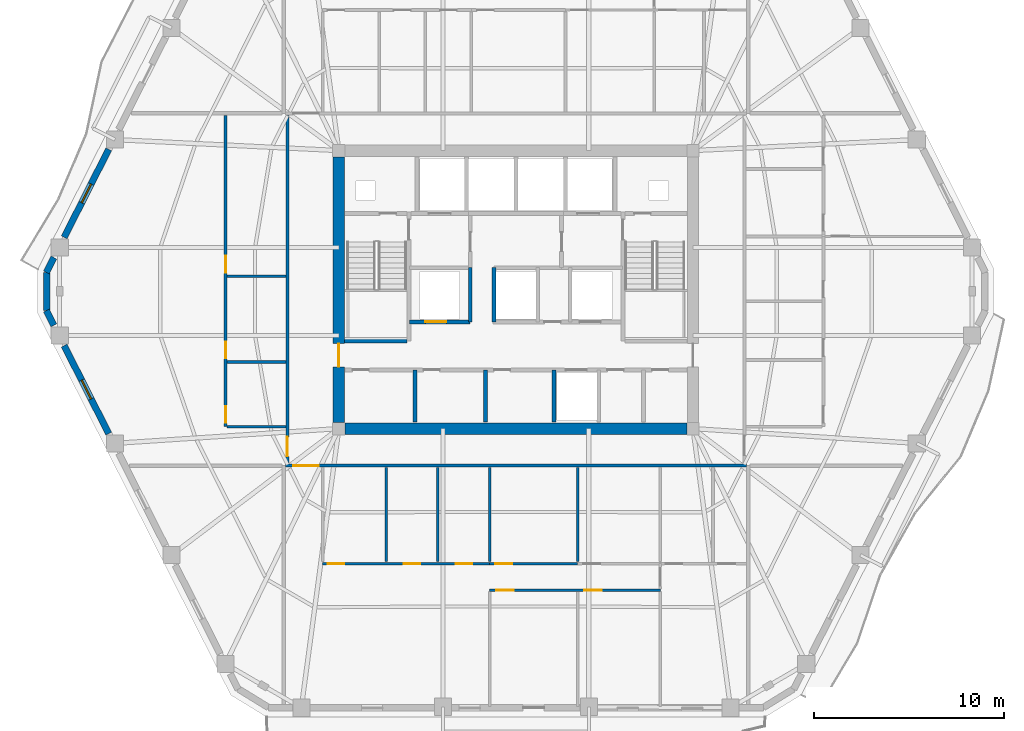
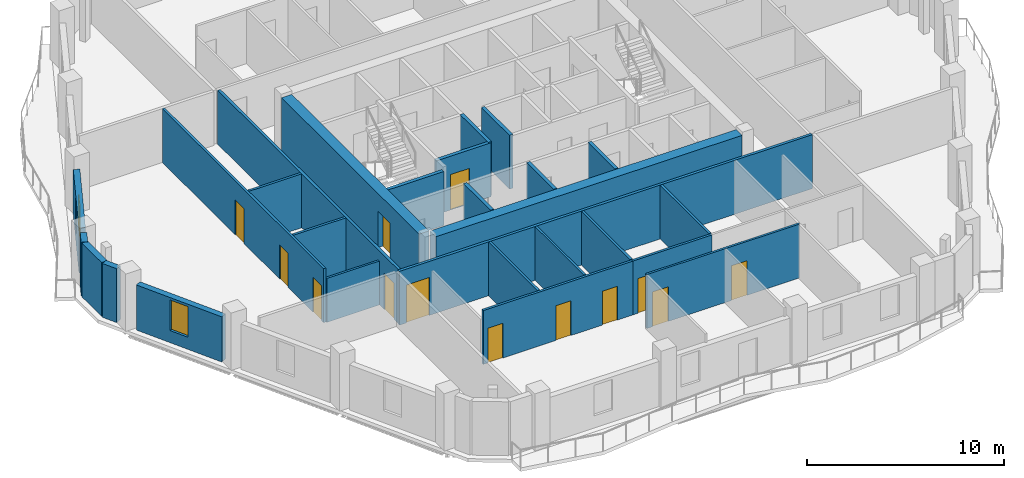
# One storey, part 4 of 10: 27 walls, 13 doors, 2 windows, 15 openings.
"""IFC4 building model written with IfcOpenShell, lengths in metres."""

from ifc_helpers import new_model, si_unit, direction, frame, frame_2d, origin, place, context, subcontext, project, spatial, rectangle, extrude, material, layer, layer_set, type_object, element, fill, save


model = new_model("IFC4")

# Units and contexts
model_context = context("Model", 3, precision=1e-05, world=origin(), true_north=direction((0.0, 1.0)))
body_context = subcontext(model_context, "Body", "Model", "MODEL_VIEW")
ifc_project = project(units=[si_unit("LENGTHUNIT", "METRE"), si_unit("AREAUNIT", "SQUARE_METRE"), si_unit("VOLUMEUNIT", "CUBIC_METRE"), si_unit("PLANEANGLEUNIT", "RADIAN"), si_unit("MASSUNIT", "GRAM", prefix="KILO")], contexts=[model_context])

# Site, building, storey
site_placement = place(None, origin())
site = spatial("IfcSite", under=ifc_project, at=site_placement, CompositionType="ELEMENT")
building_placement = place(site_placement, origin())
building = spatial("IfcBuilding", under=site, at=building_placement, Name="Cinnabar Lancet Tower", CompositionType="ELEMENT")
storey_placement = place(building_placement, frame((0.0, 0.0, 164.14990234375)))
storey = spatial("IfcBuildingStorey", under=building, at=storey_placement, Name="L43", CompositionType="ELEMENT", Elevation=164.14990234375)

# Wall, opening, door
ifc_material_1 = material(Name="Acoustic twin-stud gypsum partition", Category="gypsum")
ifc_layer_1 = layer(ifc_material_1, 0.159912109375)
ifc_layer_set_1 = layer_set([ifc_layer_1], Name="Acoustic twin-stud gypsum partition")
wall_type_1 = type_object("IfcWallType", Name="ARC-WL-CORR-160", PredefinedType="PARTITIONING", material=ifc_layer_set_1)
wall_1_placement = place(storey_placement, frame((20.294921875, 16.64990234375, 0.0), z_axis=(0.0, 0.0, 1.0), x_axis=(1.0, 0.0, 0.0)))
wall_1 = element("IfcWall", 1, at=wall_1_placement, inside=storey, type_object=wall_type_1, Name="L43 Unit S01 Corridor Wall", PredefinedType="PARTITIONING", context=body_context, shape_type="SweptSolid", body=[
    extrude(rectangle(XDim=24.2099609375, YDim=0.159912109375, at=frame_2d((12.10498046875, 0.0))), origin(), (0.0, 0.0, 1.0), 3.340087890625),
])
opening_1_placement = place(wall_1_placement, frame((0.405029296875, 0.0, 0.0)))
opening_1 = element("IfcOpeningElement", 2, at=opening_1_placement, cuts=wall_1, Name="Opening UD-02", PredefinedType="OPENING", context=body_context, shape_type="SweptSolid", body=[
    extrude(rectangle(XDim=1.35009765625, YDim=2.35009765625, at=frame_2d((0.675048828125, 1.175048828125))), frame((0.0, 0.08984375, 0.0), z_axis=(0.0, -1.0, 0.0), x_axis=(1.0, 0.0, 0.0)), (0.0, 0.0, 1.0), 0.179931640625),
])
ifc_material_2 = material(Name="Double-leaf solid timber penthouse entrance door", Category="wood")
door_type_1 = type_object("IfcDoorType", Name="ARC-DR-UNIT-PH", OperationType="NOTDEFINED", PredefinedType="DOOR", material=ifc_material_2)
door_1_placement = place(opening_1_placement, origin())
door_1 = element("IfcDoor", 3, at=door_1_placement, inside=storey, type_object=door_type_1, Name="DR-L43-S01-ENT", OperationType="SINGLE_SWING_RIGHT", OverallHeight=2.35009765625, OverallWidth=1.35009765625, PredefinedType="DOOR", context=body_context, shape_type="SweptSolid", body=[
    extrude(rectangle(XDim=1.35009765625, YDim=2.35009765625, at=frame_2d((0.675048828125, 1.175048828125))), frame((0.0, 0.02490234375, 0.0), z_axis=(0.0, -1.0, 0.0), x_axis=(1.0, 0.0, 0.0)), (0.0, 0.0, 1.0), 0.050048828125),
])
fill(opening_1, door_1)

wall_2_placement = place(storey_placement, frame((20.39990234375, 16.7451171875, 0.0), z_axis=(0.0, 0.0, 1.0), x_axis=(0.0, 1.0, 0.0)))
wall_2 = element("IfcWall", 4, at=wall_2_placement, inside=storey, type_object=wall_type_1, Name="UW-L43-W01-COR", PredefinedType="PARTITIONING", context=body_context, shape_type="SweptSolid", body=[
    extrude(rectangle(XDim=18.309814453125, YDim=0.159912109375, at=frame_2d((9.15478515625, 0.0))), origin(), (0.0, 0.0, 1.0), 3.340087890625),
])
opening_2_placement = place(wall_2_placement, frame((0.39990234375, 0.0, 0.0)))
opening_2 = element("IfcOpeningElement", 5, at=opening_2_placement, cuts=wall_2, Name="Opening UD-01", PredefinedType="OPENING", context=body_context, shape_type="SweptSolid", body=[
    extrude(rectangle(XDim=1.02001953125, YDim=2.25, at=frame_2d((0.510009765625, 1.125))), frame((0.0, 0.08984375, 0.0), z_axis=(0.0, -1.0, 0.0), x_axis=(1.0, 0.0, 0.0)), (0.0, 0.0, 1.0), 0.179931640625),
])
ifc_material_3 = material(Name="Solid timber fire-rated apartment entrance door", Category="wood")
door_type_2 = type_object("IfcDoorType", Name="ARC-DR-UNIT", OperationType="NOTDEFINED", PredefinedType="DOOR", material=ifc_material_3)
door_2_placement = place(opening_2_placement, origin())
door_2 = element("IfcDoor", 6, at=door_2_placement, inside=storey, type_object=door_type_2, Name="DR-L43-W01-ENT", OperationType="SINGLE_SWING_RIGHT", OverallHeight=2.25, OverallWidth=1.02001953125, PredefinedType="DOOR", context=body_context, shape_type="SweptSolid", body=[
    extrude(rectangle(XDim=1.02001953125, YDim=2.25, at=frame_2d((0.510009765625, 1.125))), frame((0.0, 0.02490234375, 0.0), z_axis=(0.0, -1.0, 0.0), x_axis=(1.0, 0.0, 0.0)), (0.0, 0.0, 1.0), 0.050048828125),
])
fill(opening_2, door_2)

# Wall
ifc_material_4 = material(Name="Autoclaved aerated concrete blockwork", Category="masonry")
ifc_layer_2 = layer(ifc_material_4, 0.199951171875)
ifc_layer_set_2 = layer_set([ifc_layer_2], Name="Autoclaved aerated concrete blockwork")
wall_type_2 = type_object("IfcWallType", Name="ARC-WL-SHAFT-200", PredefinedType="PLUMBINGWALL", material=ifc_layer_set_2)
wall_3_placement = place(storey_placement, frame((23.405029296875, 23.199951171875, 0.0), z_axis=(0.0, 0.0, 1.0), x_axis=(1.0, 0.0, 0.0)))
element("IfcWall", 7, at=wall_3_placement, inside=storey, type_object=wall_type_2, Name="CW-ST1S-L43", PredefinedType="PLUMBINGWALL", context=body_context, shape_type="SweptSolid", body=[
    extrude(rectangle(XDim=3.27001953125, YDim=0.199951171875, at=frame_2d((1.635009765625, 0.0))), origin(), (0.0, 0.0, 1.0), 3.340087890625),
])

# Wall, opening, door
wall_4_placement = place(storey_placement, frame((26.800048828125, 24.199951171875, 0.0), z_axis=(0.0, 0.0, 1.0), x_axis=(1.0, 0.0, 0.0)))
wall_4 = element("IfcWall", 8, at=wall_4_placement, inside=storey, type_object=wall_type_2, Name="CW-PL5S-L43", PredefinedType="PLUMBINGWALL", context=body_context, shape_type="SweptSolid", body=[
    extrude(rectangle(XDim=3.199951171875, YDim=0.199951171875, at=frame_2d((1.60009765625, 0.0))), origin(), (0.0, 0.0, 1.0), 3.340087890625),
])
opening_3_placement = place(wall_4_placement, frame((0.85009765625, 0.0, 0.0)))
opening_3 = element("IfcOpeningElement", 9, at=opening_3_placement, cuts=wall_4, Name="Opening LD-01", PredefinedType="OPENING", context=body_context, shape_type="SweptSolid", body=[
    extrude(rectangle(XDim=1.10009765625, YDim=2.199951171875, at=frame_2d((0.550048828125, 1.10009765625))), frame((0.0, 0.10986328125, 0.0), z_axis=(0.0, -1.0, 0.0), x_axis=(1.0, 0.0, 0.0)), (0.0, 0.0, 1.0), 0.219970703125),
])
ifc_material_5 = material(Name="Brushed stainless steel sliding lift door", Category="steel")
door_type_3 = type_object("IfcDoorType", Name="ARC-DR-LD-PASS", OperationType="NOTDEFINED", PredefinedType="DOOR", material=ifc_material_5)
door_3_placement = place(opening_3_placement, origin())
door_3 = element("IfcDoor", 10, at=door_3_placement, inside=storey, type_object=door_type_3, Name="L43 Lift PL-5 Landing Door", OperationType="DOUBLE_DOOR_SLIDING", OverallHeight=2.199951171875, OverallWidth=1.10009765625, PredefinedType="DOOR", context=body_context, shape_type="SweptSolid", body=[
    extrude(rectangle(XDim=1.10009765625, YDim=2.199951171875, at=frame_2d((0.550048828125, 1.10009765625))), frame((0.0, 0.02490234375, 0.0), z_axis=(0.0, -1.0, 0.0), x_axis=(1.0, 0.0, 0.0)), (0.0, 0.0, 1.0), 0.050048828125),
])
fill(opening_3, door_3)

# Walls
for number, where, z_axis, x_axis, name in (
    (11, (30.0, 24.199951171875, 0.0), (0.0, 0.0, 1.0), (0.0, 1.0, 0.0), "CW-PL5E-L43"),
    (12, (31.25, 24.199951171875, 0.0), (0.0, 0.0, 1.0), (0.0, 1.0, 0.0), "CW-PL9W-L43"),
):
    element("IfcWall", number, at=place(storey_placement, frame(where, z_axis=z_axis, x_axis=x_axis)), inside=storey, type_object=wall_type_2, Name=name, PredefinedType="PLUMBINGWALL", context=body_context, shape_type="SweptSolid", body=[
        extrude(rectangle(XDim=2.85009765625, YDim=0.199951171875, at=frame_2d((1.425048828125, 0.0))), origin(), (0.0, 0.0, 1.0), 3.340087890625),
    ])
for number, where, z_axis, x_axis, name in (
    (13, (34.39990234375, 18.949951171875, 0.0), (0.0, 0.0, 1.0), (0.0, 1.0, 0.0), "CW-SB-3440-L43"),
    (14, (27.10009765625, 18.949951171875, 0.0), (0.0, 0.0, 1.0), (0.0, 1.0, 0.0), "CW-SB-2710-L43"),
    (15, (30.800048828125, 18.949951171875, 0.0), (0.0, 0.0, 1.0), (0.0, 1.0, 0.0), "CW-SB-3080-L43"),
):
    element("IfcWall", number, at=place(storey_placement, frame(where, z_axis=z_axis, x_axis=x_axis)), inside=storey, type_object=wall_type_2, Name=name, PredefinedType="PLUMBINGWALL", context=body_context, shape_type="SweptSolid", body=[
        extrude(rectangle(XDim=2.72998046875, YDim=0.199951171875, at=frame_2d((1.364990234375, 0.0))), origin(), (0.0, 0.0, 1.0), 3.340087890625),
    ])
ifc_material_6 = material(Name="Gypsum plasterboard stud partition", Category="gypsum")
ifc_layer_3 = layer(ifc_material_6, 0.125)
ifc_layer_set_3 = layer_set([ifc_layer_3], Name="Gypsum plasterboard stud partition")
wall_type_3 = type_object("IfcWallType", Name="ARC-WL-UNIT-125", PredefinedType="PARTITIONING", material=ifc_layer_set_3)
wall_5_placement = place(storey_placement, frame((28.302978515625, 11.612060546875, 0.0), z_axis=(0.0, 0.0, 1.0), x_axis=(0.0, 1.0, 0.0)))
element("IfcWall", 16, at=wall_5_placement, inside=storey, type_object=wall_type_3, Name="UW-L43-S01-STD", PredefinedType="PARTITIONING", context=body_context, shape_type="SweptSolid", body=[
    extrude(rectangle(XDim=4.952880859375, YDim=0.125, at=frame_2d((2.4765625, 0.0))), origin(), (0.0, 0.0, 1.0), 3.340087890625),
])

# Wall, openings, doors
wall_6_placement = place(storey_placement, frame((31.02294921875, 10.10693359375, 0.0), z_axis=(0.0, 0.0, 1.0), x_axis=(1.0, 0.0, 0.0)))
wall_6 = element("IfcWall", 17, at=wall_6_placement, inside=storey, type_object=wall_type_3, Name="UW-L43-S01-HLN", PredefinedType="PARTITIONING", context=body_context, shape_type="SweptSolid", body=[
    extrude(rectangle(XDim=8.9609375, YDim=0.125, at=frame_2d((4.48046875, 0.0))), origin(), (0.0, 0.0, 1.0), 3.340087890625),
])
opening_4_placement = place(wall_6_placement, frame((0.35009765625, 0.0, 0.0)))
opening_4 = element("IfcOpeningElement", 18, at=opening_4_placement, cuts=wall_6, Name="Opening RD-01", PredefinedType="OPENING", context=body_context, shape_type="SweptSolid", body=[
    extrude(rectangle(XDim=0.919921875, YDim=2.14990234375, at=frame_2d((0.4599609375, 1.074951171875))), frame((0.0, 0.072509765625, 0.0), z_axis=(0.0, -1.0, 0.0), x_axis=(1.0, 0.0, 0.0)), (0.0, 0.0, 1.0), 0.14501953125),
])
opening_5_placement = place(wall_6_placement, frame((4.966064453125, 0.0, 0.0)))
opening_5 = element("IfcOpeningElement", 19, at=opening_5_placement, cuts=wall_6, Name="Opening RD-01", PredefinedType="OPENING", context=body_context, shape_type="SweptSolid", body=[
    extrude(rectangle(XDim=0.919921875, YDim=2.14990234375, at=frame_2d((0.4599609375, 1.074951171875))), frame((0.0, 0.072509765625, 0.0), z_axis=(0.0, -1.0, 0.0), x_axis=(1.0, 0.0, 0.0)), (0.0, 0.0, 1.0), 0.14501953125),
])
ifc_material_7 = material(Name="Engineered timber bedroom door", Category="wood")
door_type_4 = type_object("IfcDoorType", Name="ARC-DR-ROOM", OperationType="NOTDEFINED", PredefinedType="DOOR", material=ifc_material_7)
door_4_placement = place(opening_4_placement, origin())
door_4 = element("IfcDoor", 20, at=door_4_placement, inside=storey, type_object=door_type_4, Name="DR-L43-S01-BD2", OperationType="SINGLE_SWING_LEFT", OverallHeight=2.14990234375, OverallWidth=0.919921875, PredefinedType="DOOR", context=body_context, shape_type="SweptSolid", body=[
    extrude(rectangle(XDim=0.919921875, YDim=2.14990234375, at=frame_2d((0.4599609375, 1.074951171875))), frame((0.0, 0.02490234375, 0.0), z_axis=(0.0, -1.0, 0.0), x_axis=(1.0, 0.0, 0.0)), (0.0, 0.0, 1.0), 0.050048828125),
])
fill(opening_4, door_4)
door_5_placement = place(opening_5_placement, origin())
door_5 = element("IfcDoor", 21, at=door_5_placement, inside=storey, type_object=door_type_4, Name="DR-L43-S01-BD3", OperationType="SINGLE_SWING_RIGHT", OverallHeight=2.14990234375, OverallWidth=0.919921875, PredefinedType="DOOR", context=body_context, shape_type="SweptSolid", body=[
    extrude(rectangle(XDim=0.919921875, YDim=2.14990234375, at=frame_2d((0.4599609375, 1.074951171875))), frame((0.0, 0.02490234375, 0.0), z_axis=(0.0, -1.0, 0.0), x_axis=(1.0, 0.0, 0.0)), (0.0, 0.0, 1.0), 0.050048828125),
])
fill(opening_5, door_5)

# Wall
wall_7_placement = place(storey_placement, frame((17.235107421875, 18.699951171875, 0.0), z_axis=(0.0, 0.0, 1.0), x_axis=(1.0, 0.0, 0.0)))
element("IfcWall", 22, at=wall_7_placement, inside=storey, type_object=wall_type_3, Name="UW-L43-W01-FOYN", PredefinedType="PARTITIONING", context=body_context, shape_type="SweptSolid", body=[
    extrude(rectangle(XDim=3.079833984375, YDim=0.125, at=frame_2d((1.5400390625, 0.0))), origin(), (0.0, 0.0, 1.0), 2.72216796875),
])

# Wall, openings, doors
ifc_material_8 = material(Name="Moisture-resistant cement-board plumbing wall", Category="masonry")
ifc_layer_4 = layer(ifc_material_8, 0.139892578125)
ifc_layer_set_4 = layer_set([ifc_layer_4], Name="Moisture-resistant cement-board plumbing wall")
wall_type_4 = type_object("IfcWallType", Name="ARC-WL-WET-140", PredefinedType="PLUMBINGWALL", material=ifc_layer_set_4)
wall_8_placement = place(storey_placement, frame((22.25, 11.507080078125, 0.0), z_axis=(0.0, 0.0, 1.0), x_axis=(1.0, 0.0, 0.0)))
wall_8 = element("IfcWall", 23, at=wall_8_placement, inside=storey, type_object=wall_type_4, Name="UW-L43-S01-SPL", PredefinedType="PLUMBINGWALL", context=body_context, shape_type="SweptSolid", body=[
    extrude(rectangle(XDim=8.77294921875, YDim=0.139892578125, at=frame_2d((4.386474609375, 0.0))), origin(), (0.0, 0.0, 1.0), 3.340087890625),
])
opening_6_placement = place(wall_8_placement, frame((6.988037109375, 0.0, 0.0)))
opening_6 = element("IfcOpeningElement", 24, at=opening_6_placement, cuts=wall_8, Name="Opening BD-01", PredefinedType="OPENING", context=body_context, shape_type="SweptSolid", body=[
    extrude(rectangle(XDim=0.860107421875, YDim=2.10009765625, at=frame_2d((0.43017578125, 1.050048828125))), frame((0.0, 0.079833984375, 0.0), z_axis=(0.0, -1.0, 0.0), x_axis=(1.0, 0.0, 0.0)), (0.0, 0.0, 1.0), 0.159912109375),
])
opening_7_placement = place(wall_8_placement, frame((0.260009765625, 0.0, 0.0)))
opening_7 = element("IfcOpeningElement", 25, at=opening_7_placement, cuts=wall_8, Name="Opening RD-02", PredefinedType="OPENING", context=body_context, shape_type="SweptSolid", body=[
    extrude(rectangle(XDim=0.8798828125, YDim=2.14990234375, at=frame_2d((0.43994140625, 1.074951171875))), frame((0.0, 0.079833984375, 0.0), z_axis=(0.0, -1.0, 0.0), x_axis=(1.0, 0.0, 0.0)), (0.0, 0.0, 1.0), 0.159912109375),
])
opening_8_placement = place(wall_8_placement, frame((4.25390625, 0.0, 0.0)))
opening_8 = element("IfcOpeningElement", 26, at=opening_8_placement, cuts=wall_8, Name="Opening RD-02", PredefinedType="OPENING", context=body_context, shape_type="SweptSolid", body=[
    extrude(rectangle(XDim=0.8798828125, YDim=2.14990234375, at=frame_2d((0.43994140625, 1.074951171875))), frame((0.0, 0.079833984375, 0.0), z_axis=(0.0, -1.0, 0.0), x_axis=(1.0, 0.0, 0.0)), (0.0, 0.0, 1.0), 0.159912109375),
])
ifc_material_9 = material(Name="Moisture-resistant timber bathroom door", Category="wood")
door_type_5 = type_object("IfcDoorType", Name="ARC-DR-BATH", OperationType="NOTDEFINED", PredefinedType="DOOR", material=ifc_material_9)
door_6_placement = place(opening_6_placement, origin())
door_6 = element("IfcDoor", 27, at=door_6_placement, inside=storey, type_object=door_type_5, Name="DR-L43-S01-BTH", OperationType="SINGLE_SWING_LEFT", OverallHeight=2.10009765625, OverallWidth=0.860107421875, PredefinedType="DOOR", context=body_context, shape_type="SweptSolid", body=[
    extrude(rectangle(XDim=0.860107421875, YDim=2.10009765625, at=frame_2d((0.43017578125, 1.050048828125))), frame((0.0, 0.02490234375, 0.0), z_axis=(0.0, -1.0, 0.0), x_axis=(1.0, 0.0, 0.0)), (0.0, 0.0, 1.0), 0.050048828125),
])
fill(opening_6, door_6)
ifc_material_10 = material(Name="Engineered timber study door", Category="wood")
door_type_6 = type_object("IfcDoorType", Name="ARC-DR-STUDY", OperationType="NOTDEFINED", PredefinedType="DOOR", material=ifc_material_10)
door_7_placement = place(opening_7_placement, origin())
door_7 = element("IfcDoor", 28, at=door_7_placement, inside=storey, type_object=door_type_6, Name="DR-L43-S01-KIT", OperationType="SINGLE_SWING_LEFT", OverallHeight=2.14990234375, OverallWidth=0.8798828125, PredefinedType="DOOR", context=body_context, shape_type="SweptSolid", body=[
    extrude(rectangle(XDim=0.8798828125, YDim=2.14990234375, at=frame_2d((0.43994140625, 1.074951171875))), frame((0.0, 0.02490234375, 0.0), z_axis=(0.0, -1.0, 0.0), x_axis=(1.0, 0.0, 0.0)), (0.0, 0.0, 1.0), 0.050048828125),
])
fill(opening_7, door_7)
door_8_placement = place(opening_8_placement, origin())
door_8 = element("IfcDoor", 29, at=door_8_placement, inside=storey, type_object=door_type_6, Name="DR-L43-S01-STD", OperationType="SINGLE_SWING_RIGHT", OverallHeight=2.14990234375, OverallWidth=0.8798828125, PredefinedType="DOOR", context=body_context, shape_type="SweptSolid", body=[
    extrude(rectangle(XDim=0.8798828125, YDim=2.14990234375, at=frame_2d((0.43994140625, 1.074951171875))), frame((0.0, 0.02490234375, 0.0), z_axis=(0.0, -1.0, 0.0), x_axis=(1.0, 0.0, 0.0)), (0.0, 0.0, 1.0), 0.050048828125),
])
fill(opening_8, door_8)

# Wall, opening, door
wall_9_placement = place(storey_placement, frame((31.02294921875, 11.507080078125, 0.0), z_axis=(0.0, 0.0, 1.0), x_axis=(1.0, 0.0, 0.0)))
wall_9 = element("IfcWall", 30, at=wall_9_placement, inside=storey, type_object=wall_type_4, Name="UW-L43-S01-SPM", PredefinedType="PLUMBINGWALL", context=body_context, shape_type="SweptSolid", body=[
    extrude(rectangle(XDim=4.615966796875, YDim=0.139892578125, at=frame_2d((2.30810546875, 0.0))), origin(), (0.0, 0.0, 1.0), 3.340087890625),
])
opening_9_placement = place(wall_9_placement, frame((0.300048828125, 0.0, 0.0)))
opening_9 = element("IfcOpeningElement", 31, at=opening_9_placement, cuts=wall_9, Name="Opening RD-02", PredefinedType="OPENING", context=body_context, shape_type="SweptSolid", body=[
    extrude(rectangle(XDim=0.8798828125, YDim=2.14990234375, at=frame_2d((0.43994140625, 1.074951171875))), frame((0.0, 0.079833984375, 0.0), z_axis=(0.0, -1.0, 0.0), x_axis=(1.0, 0.0, 0.0)), (0.0, 0.0, 1.0), 0.159912109375),
])
door_9_placement = place(opening_9_placement, origin())
door_9 = element("IfcDoor", 32, at=door_9_placement, inside=storey, type_object=door_type_6, Name="DR-L43-S01-UTL", OperationType="SINGLE_SWING_RIGHT", OverallHeight=2.14990234375, OverallWidth=0.8798828125, PredefinedType="DOOR", context=body_context, shape_type="SweptSolid", body=[
    extrude(rectangle(XDim=0.8798828125, YDim=2.14990234375, at=frame_2d((0.43994140625, 1.074951171875))), frame((0.0, 0.02490234375, 0.0), z_axis=(0.0, -1.0, 0.0), x_axis=(1.0, 0.0, 0.0)), (0.0, 0.0, 1.0), 0.050048828125),
])
fill(opening_9, door_9)

# Walls
for number, where, z_axis, x_axis, name in (
    (33, (25.583984375, 11.612060546875, 0.0), (0.0, 0.0, 1.0), (0.0, 1.0, 0.0), "UW-L43-S01-KDV"),
    (34, (31.02294921875, 11.612060546875, 0.0), (0.0, 0.0, 1.0), (0.0, 1.0, 0.0), "UW-L43-S01-ENSW"),
    (35, (35.638916015625, 11.612060546875, 0.0), (0.0, 0.0, 1.0), (0.0, 1.0, 0.0), "UW-L43-S01-ENSE"),
):
    element("IfcWall", number, at=place(storey_placement, frame(where, z_axis=z_axis, x_axis=x_axis)), inside=storey, type_object=wall_type_4, Name=name, PredefinedType="PLUMBINGWALL", context=body_context, shape_type="SweptSolid", body=[
        extrude(rectangle(XDim=4.952880859375, YDim=0.139892578125, at=frame_2d((2.4765625, 0.0))), origin(), (0.0, 0.0, 1.0), 3.340087890625),
    ])

# Wall, openings, doors
wall_10_placement = place(storey_placement, frame((17.14990234375, 18.699951171875, 0.0), z_axis=(0.0, 0.0, 1.0), x_axis=(0.0, 1.0, 0.0)))
wall_10 = element("IfcWall", 36, at=wall_10_placement, inside=storey, type_object=wall_type_4, Name="UW-L43-W01-SPL", PredefinedType="PLUMBINGWALL", context=body_context, shape_type="SweptSolid", body=[
    extrude(rectangle(XDim=16.35498046875, YDim=0.139892578125, at=frame_2d((8.177490234375, 0.0))), origin(), (0.0, 0.0, 1.0), 3.340087890625),
])
opening_10_placement = place(wall_10_placement, frame((3.60009765625, 0.0, 0.0)))
opening_10 = element("IfcOpeningElement", 37, at=opening_10_placement, cuts=wall_10, Name="Opening BD-01", PredefinedType="OPENING", context=body_context, shape_type="SweptSolid", body=[
    extrude(rectangle(XDim=0.860107421875, YDim=2.10009765625, at=frame_2d((0.43017578125, 1.050048828125))), frame((0.0, 0.079833984375, 0.0), z_axis=(0.0, -1.0, 0.0), x_axis=(1.0, 0.0, 0.0)), (0.0, 0.0, 1.0), 0.159912109375),
])
opening_11_placement = place(wall_10_placement, frame((8.094970703125, 0.0, 0.0)))
opening_11 = element("IfcOpeningElement", 38, at=opening_11_placement, cuts=wall_10, Name="Opening RD-02", PredefinedType="OPENING", context=body_context, shape_type="SweptSolid", body=[
    extrude(rectangle(XDim=0.8798828125, YDim=2.14990234375, at=frame_2d((0.43994140625, 1.074951171875))), frame((0.0, 0.079833984375, 0.0), z_axis=(0.0, -1.0, 0.0), x_axis=(1.0, 0.0, 0.0)), (0.0, 0.0, 1.0), 0.159912109375),
])
opening_12_placement = place(wall_10_placement, frame((0.199951171875, 0.0, 0.0)))
opening_12 = element("IfcOpeningElement", 39, at=opening_12_placement, cuts=wall_10, Name="Opening RD-02", PredefinedType="OPENING", context=body_context, shape_type="SweptSolid", body=[
    extrude(rectangle(XDim=0.8798828125, YDim=2.14990234375, at=frame_2d((0.43994140625, 1.074951171875))), frame((0.0, 0.079833984375, 0.0), z_axis=(0.0, -1.0, 0.0), x_axis=(1.0, 0.0, 0.0)), (0.0, 0.0, 1.0), 0.159912109375),
])
door_10_placement = place(opening_10_placement, origin())
door_10 = element("IfcDoor", 40, at=door_10_placement, inside=storey, type_object=door_type_5, Name="DR-L43-W01-BTH", OperationType="SINGLE_SWING_RIGHT", OverallHeight=2.10009765625, OverallWidth=0.860107421875, PredefinedType="DOOR", context=body_context, shape_type="SweptSolid", body=[
    extrude(rectangle(XDim=0.860107421875, YDim=2.10009765625, at=frame_2d((0.43017578125, 1.050048828125))), frame((0.0, 0.02490234375, 0.0), z_axis=(0.0, -1.0, 0.0), x_axis=(1.0, 0.0, 0.0)), (0.0, 0.0, 1.0), 0.050048828125),
])
fill(opening_10, door_10)
door_11_placement = place(opening_11_placement, origin())
door_11 = element("IfcDoor", 41, at=door_11_placement, inside=storey, type_object=door_type_6, Name="DR-L43-W01-WDR", OperationType="SINGLE_SWING_LEFT", OverallHeight=2.14990234375, OverallWidth=0.8798828125, PredefinedType="DOOR", context=body_context, shape_type="SweptSolid", body=[
    extrude(rectangle(XDim=0.8798828125, YDim=2.14990234375, at=frame_2d((0.43994140625, 1.074951171875))), frame((0.0, 0.02490234375, 0.0), z_axis=(0.0, -1.0, 0.0), x_axis=(1.0, 0.0, 0.0)), (0.0, 0.0, 1.0), 0.050048828125),
])
fill(opening_11, door_11)
door_12_placement = place(opening_12_placement, origin())
door_12 = element("IfcDoor", 42, at=door_12_placement, inside=storey, type_object=door_type_6, Name="DR-L43-W01-KIT", OperationType="SINGLE_SWING_LEFT", OverallHeight=2.14990234375, OverallWidth=0.8798828125, PredefinedType="DOOR", context=body_context, shape_type="SweptSolid", body=[
    extrude(rectangle(XDim=0.8798828125, YDim=2.14990234375, at=frame_2d((0.43994140625, 1.074951171875))), frame((0.0, 0.02490234375, 0.0), z_axis=(0.0, -1.0, 0.0), x_axis=(1.0, 0.0, 0.0)), (0.0, 0.0, 1.0), 0.050048828125),
])
fill(opening_12, door_12)

# Walls
for number, where, z_axis, x_axis, name in (
    (43, (17.235107421875, 22.10009765625, 0.0), (0.0, 0.0, 1.0), (1.0, 0.0, 0.0), "UW-L43-W01-KDV"),
    (44, (17.235107421875, 26.594970703125, 0.0), (0.0, 0.0, 1.0), (1.0, 0.0, 0.0), "UW-L43-W01-BWDV"),
):
    element("IfcWall", number, at=place(storey_placement, frame(where, z_axis=z_axis, x_axis=x_axis)), inside=storey, type_object=wall_type_4, Name=name, PredefinedType="PLUMBINGWALL", context=body_context, shape_type="SweptSolid", body=[
        extrude(rectangle(XDim=3.079833984375, YDim=0.139892578125, at=frame_2d((1.5400390625, 0.0))), origin(), (0.0, 0.0, 1.0), 3.340087890625),
    ])
ifc_material_11 = material(Name="Cinnabar red clay brick", Category="masonry")
ifc_layer_5 = layer(ifc_material_11, 0.340087890625)
ifc_layer_set_5 = layer_set([ifc_layer_5], Name="Cinnabar red clay brick")
wall_type_5 = type_object("IfcWallType", Name="ENV-WL-BRK-RED-340", PredefinedType="STANDARD", material=ifc_layer_set_5)
wall_11_placement = place(storey_placement, frame((7.76708984375, 26.797119140625, 0.0), z_axis=(0.0, 0.0, 1.0), x_axis=(0.0, -1.0, 0.0)))
element("IfcWall", 45, at=wall_11_placement, inside=storey, type_object=wall_type_5, Name="L43 Chamfered Corner Brick Pier 6.1", PredefinedType="STANDARD", context=body_context, shape_type="SweptSolid", body=[
    extrude(rectangle(XDim=1.994140625, YDim=0.340087890625, at=frame_2d((0.9970703125, 0.0))), origin(), (0.0, 0.0, 1.0), 3.340087890625),
])

# Wall, opening, window
wall_12_placement = place(storey_placement, frame((11.013916015625, 33.261962890625, 0.0), z_axis=(0.0, 0.0, 1.0), x_axis=(-0.451506699894, -0.892267728852, 0.0)))
wall_12 = element("IfcWall", 46, at=wall_12_placement, inside=storey, type_object=wall_type_5, Name="L43 Face 5 Masonry Bay Wall 4", PredefinedType="STANDARD", context=body_context, shape_type="SweptSolid", body=[
    extrude(rectangle(XDim=5.18017578125, YDim=0.340087890625, at=frame_2d((2.590087890625, 0.0))), origin(), (0.0, 0.0, 1.0), 2.797119140625),
])
opening_13_placement = place(wall_12_placement, frame((2.0400390625, 0.0, 0.75)))
opening_13 = element("IfcOpeningElement", 47, at=opening_13_placement, cuts=wall_12, Name="Opening WN-04", PredefinedType="OPENING", context=body_context, shape_type="SweptSolid", body=[
    extrude(rectangle(XDim=1.10009765625, YDim=1.89697265625, at=frame_2d((0.550048828125, 0.948486328125))), frame((0.0, 0.179931640625, 0.0), z_axis=(0.0, -1.0, 0.0), x_axis=(1.0, 0.0, 0.0)), (0.0, 0.0, 1.0), 0.360107421875),
])
ifc_material_12 = material(Name="Thermally broken bronze-anodized aluminium tall lancet window", Category="aluminium")
window_type = type_object("IfcWindowType", Name="ENV-WN-LANCET-1100", PartitioningType="SINGLE_PANEL", PredefinedType="WINDOW", material=ifc_material_12)
window_1_placement = place(opening_13_placement, origin())
window_1 = element("IfcWindow", 48, at=window_1_placement, inside=storey, type_object=window_type, Name="L43 Face 5 Gothic Lancet Window 4", OverallHeight=1.89697265625, OverallWidth=1.10009765625, PartitioningType="SINGLE_PANEL", PredefinedType="WINDOW", context=body_context, shape_type="SweptSolid", body=[
    extrude(rectangle(XDim=1.10009765625, YDim=1.89697265625, at=frame_2d((0.550048828125, 0.948486328125))), frame((0.0, 0.030029296875, 0.0), z_axis=(0.0, -1.0, 0.0), x_axis=(1.0, 0.0, 0.0)), (0.0, 0.0, 1.0), 0.06005859375),
])
fill(opening_13, window_1)

# Walls
wall_13_placement = place(storey_placement, frame((8.138916015625, 27.580078125, 0.0), z_axis=(0.0, 0.0, 1.0), x_axis=(-0.451586578297, -0.892227304168, 0.0)))
element("IfcWall", 49, at=wall_13_placement, inside=storey, type_object=wall_type_5, Name="L43 Face 5 Masonry Bay Wall 5", PredefinedType="STANDARD", context=body_context, shape_type="SweptSolid", body=[
    extrude(rectangle(XDim=0.869873046875, YDim=0.340087890625, at=frame_2d((0.43505859375, 0.0))), origin(), (0.0, 0.0, 1.0), 3.340087890625),
])
wall_14_placement = place(storey_placement, frame((7.74609375, 24.7958984375, 0.0), z_axis=(0.0, 0.0, 1.0), x_axis=(0.451699687084, -0.892170046957, 0.0)))
element("IfcWall", 50, at=wall_14_placement, inside=storey, type_object=wall_type_5, Name="L43 Face 6 Masonry Bay Wall 1", PredefinedType="STANDARD", context=body_context, shape_type="SweptSolid", body=[
    extrude(rectangle(XDim=0.86962890625, YDim=0.340087890625, at=frame_2d((0.434814453125, 0.0))), origin(), (0.0, 0.0, 1.0), 3.340087890625),
])

# Wall, opening, window
wall_15_placement = place(storey_placement, frame((8.675048828125, 22.9599609375, 0.0), z_axis=(0.0, 0.0, 1.0), x_axis=(0.451506699894, -0.892267728852, 0.0)))
wall_15 = element("IfcWall", 51, at=wall_15_placement, inside=storey, type_object=wall_type_5, Name="L43 Face 6 Masonry Bay Wall 2", PredefinedType="STANDARD", context=body_context, shape_type="SweptSolid", body=[
    extrude(rectangle(XDim=5.18017578125, YDim=0.340087890625, at=frame_2d((2.590087890625, 0.0))), origin(), (0.0, 0.0, 1.0), 2.797119140625),
])
opening_14_placement = place(wall_15_placement, frame((2.0400390625, 0.0, 0.75)))
opening_14 = element("IfcOpeningElement", 52, at=opening_14_placement, cuts=wall_15, Name="Opening WN-04", PredefinedType="OPENING", context=body_context, shape_type="SweptSolid", body=[
    extrude(rectangle(XDim=1.10009765625, YDim=1.89697265625, at=frame_2d((0.550048828125, 0.948486328125))), frame((0.0, 0.179931640625, 0.0), z_axis=(0.0, -1.0, 0.0), x_axis=(1.0, 0.0, 0.0)), (0.0, 0.0, 1.0), 0.360107421875),
])
window_2_placement = place(opening_14_placement, origin())
window_2 = element("IfcWindow", 53, at=window_2_placement, inside=storey, type_object=window_type, Name="L43 Face 6 Gothic Lancet Window 2", OverallHeight=1.89697265625, OverallWidth=1.10009765625, PartitioningType="SINGLE_PANEL", PredefinedType="WINDOW", context=body_context, shape_type="SweptSolid", body=[
    extrude(rectangle(XDim=1.10009765625, YDim=1.89697265625, at=frame_2d((0.550048828125, 0.948486328125))), frame((0.0, 0.030029296875, 0.0), z_axis=(0.0, -1.0, 0.0), x_axis=(1.0, 0.0, 0.0)), (0.0, 0.0, 1.0), 0.06005859375),
])
fill(opening_14, window_2)

# Wall
ifc_material_13 = material(Name="Concrete C60/75", Category="concrete")
ifc_layer_6 = layer(ifc_material_13, 0.60009765625)
ifc_layer_set_6 = layer_set([ifc_layer_6], Name="Concrete C60/75")
wall_type_6 = type_object("IfcWallType", Name="STR-WL-CORE-600", PredefinedType="SHEAR", material=ifc_layer_set_6)
wall_16_placement = place(storey_placement, frame((23.425048828125, 18.60009765625, 0.0), z_axis=(0.0, 0.0, 1.0), x_axis=(1.0, 0.0, 0.0)))
element("IfcWall", 54, at=wall_16_placement, inside=storey, type_object=wall_type_6, Name="L43 Core Shear Wall S", PredefinedType="SHEAR", context=body_context, shape_type="SweptSolid", body=[
    extrude(rectangle(XDim=17.949951171875, YDim=0.60009765625, at=frame_2d((8.97509765625, 0.0))), origin(), (0.0, 0.0, 1.0), 3.340087890625),
])

# Wall, opening, door
wall_17_placement = place(storey_placement, frame((23.10009765625, 18.925048828125, 0.0), z_axis=(0.0, 0.0, 1.0), x_axis=(0.0, 1.0, 0.0)))
wall_17 = element("IfcWall", 55, at=wall_17_placement, inside=storey, type_object=wall_type_6, Name="L43 Core Shear Wall W", PredefinedType="SHEAR", context=body_context, shape_type="SweptSolid", body=[
    extrude(rectangle(XDim=13.949951171875, YDim=0.60009765625, at=frame_2d((6.97509765625, 0.0))), origin(), (0.0, 0.0, 1.0), 3.340087890625),
])
opening_15_placement = place(wall_17_placement, frame((2.9150390625, 0.0, 0.0)))
opening_15 = element("IfcOpeningElement", 56, at=opening_15_placement, cuts=wall_17, Name="Opening FD-02", PredefinedType="OPENING", context=body_context, shape_type="SweptSolid", body=[
    extrude(rectangle(XDim=1.219970703125, YDim=2.25, at=frame_2d((0.60986328125, 1.125))), frame((0.0, 0.31005859375, 0.0), z_axis=(0.0, -1.0, 0.0), x_axis=(1.0, 0.0, 0.0)), (0.0, 0.0, 1.0), 0.6201171875),
])
ifc_material_14 = material(Name="Fire-rated double-vision core portal door", Category="wood")
door_type_7 = type_object("IfcDoorType", Name="ARC-DR-CPORT", OperationType="NOTDEFINED", PredefinedType="DOOR", material=ifc_material_14)
door_13_placement = place(opening_15_placement, origin())
door_13 = element("IfcDoor", 57, at=door_13_placement, inside=storey, type_object=door_type_7, Name="L43 West Core Lobby Fire Door", OperationType="SINGLE_SWING_RIGHT", OverallHeight=2.25, OverallWidth=1.219970703125, PredefinedType="DOOR", context=body_context, shape_type="SweptSolid", body=[
    extrude(rectangle(XDim=1.219970703125, YDim=2.25, at=frame_2d((0.60986328125, 1.125))), frame((0.0, 0.02490234375, 0.0), z_axis=(0.0, -1.0, 0.0), x_axis=(1.0, 0.0, 0.0)), (0.0, 0.0, 1.0), 0.050048828125),
])
fill(opening_15, door_13)

save(model, "model.ifc")
